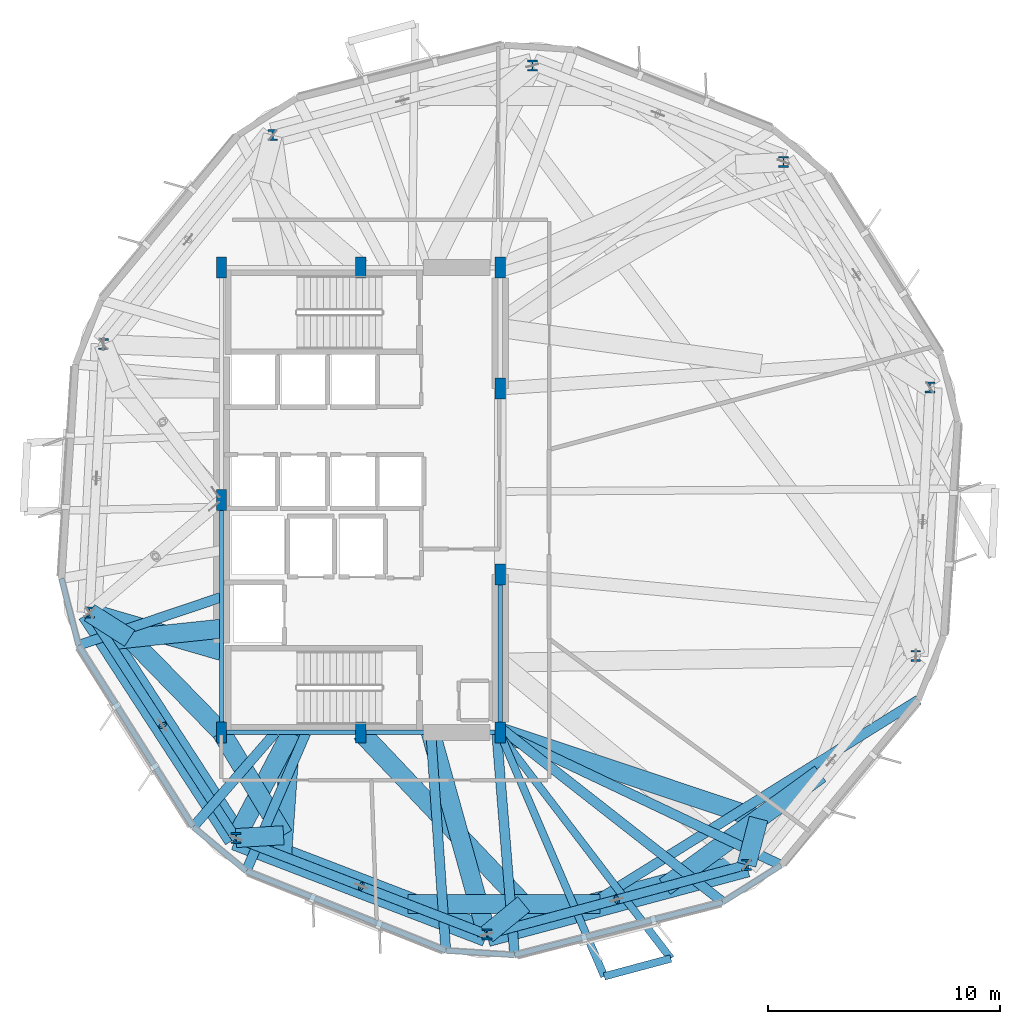
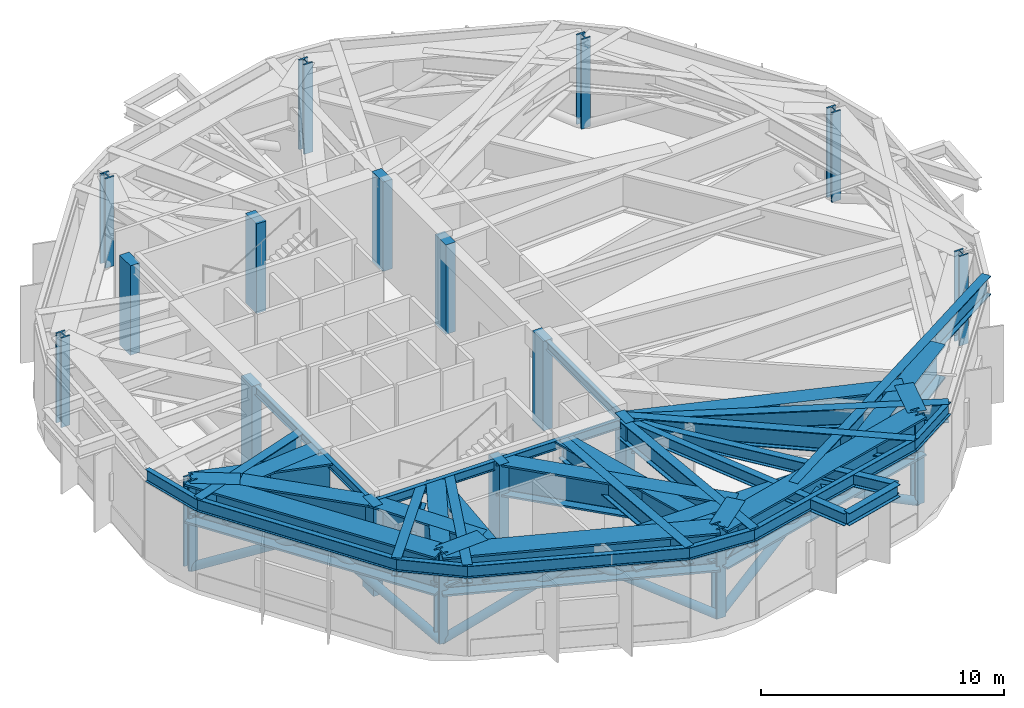
# One storey, part 1 of 13: 40 beams, 19 columns, 6 members.
"""IFC4 building model written with IfcOpenShell, lengths in metres."""

from ifc_helpers import new_model, si_unit, direction, frame, origin, origin_2d, place, context, subcontext, project, spatial, rectangle, hollow_circle, i_section, extrude, material, material_profile, profile_set, type_object, element, save


model = new_model("IFC4")

# Units and contexts
model_context = context("Model", 3, precision=1e-05, world=origin(), true_north=direction((0.0, 1.0)))
body_context = subcontext(model_context, "Body", "Model", "MODEL_VIEW")
ifc_project = project(units=[si_unit("LENGTHUNIT", "METRE"), si_unit("AREAUNIT", "SQUARE_METRE"), si_unit("VOLUMEUNIT", "CUBIC_METRE"), si_unit("PLANEANGLEUNIT", "RADIAN"), si_unit("MASSUNIT", "GRAM", prefix="KILO")], contexts=[model_context])

# Site, building, storey
site_placement = place(None, origin())
site = spatial("IfcSite", under=ifc_project, at=site_placement, CompositionType="ELEMENT")
building_placement = place(site_placement, origin())
building = spatial("IfcBuilding", under=site, at=building_placement, Name="Soratama Intermodal Tower", CompositionType="ELEMENT")
storey_placement = place(building_placement, frame((0.0, 0.0, 82.60009765625)))
storey = spatial("IfcBuildingStorey", under=building, at=storey_placement, Name="L19", CompositionType="ELEMENT", Elevation=82.60009765625)

# Columns
ifc_material_1 = material(Name="Structural steel ASTM A992 Grade 50", Category="steel")
ifc_material_profile_1 = material_profile(ifc_material_1, i_section(OverallWidth=0.424072265625, OverallDepth=0.47412109375, WebThickness=0.047607421875, FlangeThickness=0.0771484375, FilletRadius=0.0380859375, at=origin_2d()), Name="W14X426")
ifc_profile_set_1 = profile_set([ifc_material_profile_1], Name="Structural steel ASTM A992 Grade 50")
column_type_1 = type_object("IfcColumnType", Name="COL-ZA-W14X426", PredefinedType="COLUMN", material=ifc_profile_set_1)
for number, where, z_axis, x_axis, name in (
    (1, (63.08203125, 29.84521484375, 0.0), (0.0, 0.0, 1.0), (1.0, 0.0, 0.0), "L19 Tower Ring Column R01"),
    (2, (56.781005859375, 39.548095703125, 0.0), (0.0, 0.0, 1.0), (1.0, 0.0, 0.0), "L19 Tower Ring Column R02"),
    (3, (45.979736328125, 43.6943359375, 0.0), (0.0, 0.0, 1.0), (1.0, 0.0, 0.0), "L19 Tower Ring Column R03"),
    (4, (34.804443359375, 40.699951171875, 0.0), (0.0, 0.0, 1.0), (1.0, 0.0, 0.0), "L19 Tower Ring Column R04"),
    (5, (27.5234375, 31.70849609375, 0.0), (0.0, 0.0, 1.0), (1.0, 0.0, 0.0), "L19 Tower Ring Column R05"),
    (6, (26.91796875, 20.15478515625, 0.0), (0.0, 0.0, 1.0), (1.0, 0.0, 0.0), "L19 Tower Ring Column R06"),
    (7, (33.218994140625, 10.451904296875, 0.0), (0.0, 0.0, 1.0), (1.0, 0.0, 0.0), "L19 Tower Ring Column R07"),
    (8, (44.020263671875, 6.3056640625, 0.0), (0.0, 0.0, 1.0), (1.0, 0.0, 0.0), "L19 Tower Ring Column R08"),
    (9, (55.195556640625, 9.300048828125, 0.0), (0.0, 0.0, 1.0), (1.0, 0.0, 0.0), "L19 Tower Ring Column R09"),
    (10, (62.4765625, 18.29150390625, 0.0), (0.0, 0.0, 1.0), (1.0, 0.0, 0.0), "L19 Tower Ring Column R10"),
):
    element("IfcColumn", number, at=place(storey_placement, frame(where, z_axis=z_axis, x_axis=x_axis)), inside=storey, type_object=column_type_1, Name=name, PredefinedType="COLUMN", context=body_context, shape_type="SweptSolid", body=[
        extrude(i_section(OverallWidth=0.424072265625, OverallDepth=0.47412109375, WebThickness=0.047607421875, FlangeThickness=0.0771484375, FilletRadius=0.0380859375, at=origin_2d()), origin(), (0.0, 0.0, 1.0), 4.5),
    ])
ifc_material_2 = material(Name="Concrete f'c 56 MPa", Category="concrete")
ifc_material_profile_2 = material_profile(ifc_material_2, rectangle(XDim=0.449951171875, YDim=0.89990234375, at=origin_2d()), Name="RC450X900")
ifc_profile_set_2 = profile_set([ifc_material_profile_2], Name="Concrete f'c 56 MPa")
column_type_2 = type_object("IfcColumnType", Name="PIL-CORE-450X900", PredefinedType="PILASTER", material=ifc_profile_set_2)
for number, where, z_axis, x_axis, name in (
    (11, (32.60009765625, 15.0, 0.0), (0.0, 0.0, 1.0), (1.0, 0.0, 0.0), "L19 Core Pilaster 1"),
    (12, (32.60009765625, 25.0, 0.0), (0.0, 0.0, 1.0), (1.0, 0.0, 0.0), "L19 Core Pilaster 2"),
    (13, (32.60009765625, 35.0, 0.0), (0.0, 0.0, 1.0), (1.0, 0.0, 0.0), "L19 Core Pilaster 3"),
    (14, (38.60009765625, 15.0, 0.0), (0.0, 0.0, 1.0), (1.0, 0.0, 0.0), "L19 Core Pilaster 4"),
    (15, (38.60009765625, 35.0, 0.0), (0.0, 0.0, 1.0), (1.0, 0.0, 0.0), "L19 Core Pilaster 5"),
    (16, (44.60009765625, 15.0, 0.0), (0.0, 0.0, 1.0), (1.0, 0.0, 0.0), "L19 Core Pilaster 6"),
    (17, (44.60009765625, 21.800048828125, 0.0), (0.0, 0.0, 1.0), (1.0, 0.0, 0.0), "L19 Core Pilaster 7"),
    (18, (44.60009765625, 29.800048828125, 0.0), (0.0, 0.0, 1.0), (1.0, 0.0, 0.0), "L19 Core Pilaster 8"),
    (19, (44.60009765625, 35.0, 0.0), (0.0, 0.0, 1.0), (1.0, 0.0, 0.0), "L19 Core Pilaster 9"),
):
    element("IfcColumn", number, at=place(storey_placement, frame(where, z_axis=z_axis, x_axis=x_axis)), inside=storey, type_object=column_type_2, Name=name, PredefinedType="PILASTER", context=body_context, shape_type="SweptSolid", body=[
        extrude(rectangle(XDim=0.449951171875, YDim=0.89990234375, at=origin_2d()), origin(), (0.0, 0.0, 1.0), 4.5),
    ])

# Beams
ifc_material_3 = material(Name="Structural steel ASTM A992 Grade 50", Category="steel")
ifc_material_profile_3 = material_profile(ifc_material_3, i_section(OverallWidth=0.324951171875, OverallDepth=0.615966796875, WebThickness=0.013916015625, FlangeThickness=0.021484375, FilletRadius=0.013916015625, at=origin_2d()), Name="W24X117")
ifc_profile_set_3 = profile_set([ifc_material_profile_3], Name="Structural steel ASTM A992 Grade 50")
beam_type_1 = type_object("IfcBeamType", Name="BM-CANT-W24X117", PredefinedType="BEAM", material=ifc_profile_set_3)
beam_1_placement = place(storey_placement, frame((49.072021484375, 4.501953125, 4.19189453125), z_axis=(0.96590869404, 0.258882975064, 0.0), x_axis=(-0.258882975064, 0.96590869404, 0.0)))
element("IfcBeam", 20, at=beam_1_placement, inside=storey, type_object=beam_type_1, Name="BM-L19-CBHDR-4", PredefinedType="BEAM", context=body_context, shape_type="SweptSolid", body=[
    extrude(i_section(OverallWidth=0.324951171875, OverallDepth=0.615966796875, WebThickness=0.013916015625, FlangeThickness=0.021484375, FilletRadius=0.013916015625, at=origin_2d()), origin(), (0.0, 0.0, 1.0), 2.963134765625),
])
beam_2_placement = place(storey_placement, frame((44.580078125, 14.962890625, 4.19189453125), z_axis=(0.394563656242, -0.918868609309, 0.0), x_axis=(0.918868609309, 0.394563656242, 0.0)))
element("IfcBeam", 21, at=beam_2_placement, inside=storey, type_object=beam_type_1, Name="BM-L19-CANT-4-1", PredefinedType="BEAM", context=body_context, shape_type="SweptSolid", body=[
    extrude(i_section(OverallWidth=0.324951171875, OverallDepth=0.615966796875, WebThickness=0.013916015625, FlangeThickness=0.021484375, FilletRadius=0.013916015625, at=origin_2d()), origin(), (0.0, 0.0, 1.0), 11.384521484375),
])
beam_3_placement = place(storey_placement, frame((44.528076171875, 14.968017578125, 4.19189453125), z_axis=(0.606888558738, -0.794786938288, 0.0), x_axis=(0.794786938288, 0.606888558738, 0.0)))
element("IfcBeam", 22, at=beam_3_placement, inside=storey, type_object=beam_type_1, Name="BM-L19-CANT-4-2", PredefinedType="BEAM", context=body_context, shape_type="SweptSolid", body=[
    extrude(i_section(OverallWidth=0.324951171875, OverallDepth=0.615966796875, WebThickness=0.013916015625, FlangeThickness=0.021484375, FilletRadius=0.013916015625, at=origin_2d()), origin(), (0.0, 0.0, 1.0), 12.203125),
])
ifc_material_4 = material(Name="Structural steel ASTM A992 Grade 50", Category="steel")
ifc_material_profile_4 = material_profile(ifc_material_4, i_section(OverallWidth=0.19091796875, OverallDepth=0.4599609375, WebThickness=0.010009765625, FlangeThickness=0.01611328125, FilletRadius=0.010986328125, at=origin_2d()), Name="W18X55")
ifc_profile_set_4 = profile_set([ifc_material_profile_4], Name="Structural steel ASTM A992 Grade 50")
beam_type_2 = type_object("IfcBeamType", Name="BM-FLR-W18X55", PredefinedType="BEAM", material=ifc_profile_set_4)
for number, where, z_axis, x_axis, name in (
    (23, (32.60009765625, 15.0, 4.27001953125), (1.0, 0.0, 0.0), (0.0, 1.0, 0.0), "BM-L19-CRING-01"),
    (24, (38.60009765625, 15.0, 4.27001953125), (1.0, 0.0, 0.0), (0.0, 1.0, 0.0), "BM-L19-CRING-02"),
):
    element("IfcBeam", number, at=place(storey_placement, frame(where, z_axis=z_axis, x_axis=x_axis)), inside=storey, type_object=beam_type_2, Name=name, PredefinedType="BEAM", context=body_context, shape_type="SweptSolid", body=[
        extrude(i_section(OverallWidth=0.19091796875, OverallDepth=0.4599609375, WebThickness=0.010009765625, FlangeThickness=0.01611328125, FilletRadius=0.010986328125, at=origin_2d()), origin(), (0.0, 0.0, 1.0), 6.0),
    ])
beam_4_placement = place(storey_placement, frame((44.60009765625, 15.0, 4.27001953125), z_axis=(0.0, 1.0, 0.0), x_axis=(-1.0, 0.0, 0.0)))
element("IfcBeam", 25, at=beam_4_placement, inside=storey, type_object=beam_type_2, Name="BM-L19-CRING-03", PredefinedType="BEAM", context=body_context, shape_type="SweptSolid", body=[
    extrude(i_section(OverallWidth=0.19091796875, OverallDepth=0.4599609375, WebThickness=0.010009765625, FlangeThickness=0.01611328125, FilletRadius=0.010986328125, at=origin_2d()), origin(), (0.0, 0.0, 1.0), 6.800048828125),
])
beam_5_placement = place(storey_placement, frame((32.60009765625, 25.0, 4.27001953125), z_axis=(0.0, -1.0, 0.0), x_axis=(1.0, 0.0, 0.0)))
element("IfcBeam", 26, at=beam_5_placement, inside=storey, type_object=beam_type_2, Name="BM-L19-CRING-09", PredefinedType="BEAM", context=body_context, shape_type="SweptSolid", body=[
    extrude(i_section(OverallWidth=0.19091796875, OverallDepth=0.4599609375, WebThickness=0.010009765625, FlangeThickness=0.01611328125, FilletRadius=0.010986328125, at=origin_2d()), origin(), (0.0, 0.0, 1.0), 10.0),
])
ifc_material_5 = material(Name="Structural steel ASTM A992 Grade 50", Category="steel")
ifc_material_profile_5 = material_profile(ifc_material_5, i_section(OverallWidth=0.423095703125, OverallDepth=0.93896484375, WebThickness=0.02392578125, FlangeThickness=0.042724609375, FilletRadius=0.02392578125, at=origin_2d()), Name="W36X302")
ifc_profile_set_5 = profile_set([ifc_material_profile_5], Name="Structural steel ASTM A992 Grade 50")
beam_type_3 = type_object("IfcBeamType", Name="BM-POD-W36X302", PredefinedType="BEAM", material=ifc_profile_set_5)
beam_6_placement = place(storey_placement, frame((32.56201171875, 20.80810546875, 4.030517578125), z_axis=(-0.947653313285, -0.319301108392, 0.0), x_axis=(0.319301108392, -0.947653313285, 0.0)))
element("IfcBeam", 27, at=beam_6_placement, inside=storey, type_object=beam_type_3, Name="BM-L19-TIE0-06", PredefinedType="BEAM", context=body_context, shape_type="SweptSolid", body=[
    extrude(i_section(OverallWidth=0.423095703125, OverallDepth=0.93896484375, WebThickness=0.02392578125, FlangeThickness=0.042724609375, FilletRadius=0.02392578125, at=origin_2d()), origin(), (0.0, 0.0, 1.0), 6.454833984375),
])
beam_7_placement = place(storey_placement, frame((34.902099609375, 14.969970703125, 4.030517578125), z_axis=(-0.65690278807, -0.753975282769, 0.0), x_axis=(0.753975282769, -0.65690278807, 0.0)))
element("IfcBeam", 28, at=beam_7_placement, inside=storey, type_object=beam_type_3, Name="BM-L19-TIE1-06", PredefinedType="BEAM", context=body_context, shape_type="SweptSolid", body=[
    extrude(i_section(OverallWidth=0.423095703125, OverallDepth=0.93896484375, WebThickness=0.02392578125, FlangeThickness=0.042724609375, FilletRadius=0.02392578125, at=origin_2d()), origin(), (0.0, 0.0, 1.0), 5.35693359375),
])
beam_8_placement = place(storey_placement, frame((36.22705078125, 14.962890625, 4.030517578125), z_axis=(-0.396850898423, -0.917883088645, 0.0), x_axis=(0.917883088645, -0.396850898423, 0.0)))
element("IfcBeam", 29, at=beam_8_placement, inside=storey, type_object=beam_type_3, Name="BM-L19-TIE0-07", PredefinedType="BEAM", context=body_context, shape_type="SweptSolid", body=[
    extrude(i_section(OverallWidth=0.423095703125, OverallDepth=0.93896484375, WebThickness=0.02392578125, FlangeThickness=0.042724609375, FilletRadius=0.02392578125, at=origin_2d()), origin(), (0.0, 0.0, 1.0), 6.458251953125),
])
beam_9_placement = place(storey_placement, frame((41.610107421875, 14.9599609375, 4.030517578125), z_axis=(0.068618737877, -0.997642956579, 0.0), x_axis=(0.997642956579, 0.068618737877, 0.0)))
element("IfcBeam", 30, at=beam_9_placement, inside=storey, type_object=beam_type_3, Name="BM-L19-TIE1-07", PredefinedType="BEAM", context=body_context, shape_type="SweptSolid", body=[
    extrude(i_section(OverallWidth=0.423095703125, OverallDepth=0.93896484375, WebThickness=0.02392578125, FlangeThickness=0.042724609375, FilletRadius=0.02392578125, at=origin_2d()), origin(), (0.0, 0.0, 1.0), 9.367919921875),
])
beam_10_placement = place(storey_placement, frame((44.44189453125, 14.9599609375, 4.030517578125), z_axis=(0.080562426455, -0.996749565058, 0.0), x_axis=(0.996749565058, 0.080562426455, 0.0)))
element("IfcBeam", 31, at=beam_10_placement, inside=storey, type_object=beam_type_3, Name="BM-L19-TIE0-08", PredefinedType="BEAM", context=body_context, shape_type="SweptSolid", body=[
    extrude(i_section(OverallWidth=0.423095703125, OverallDepth=0.93896484375, WebThickness=0.02392578125, FlangeThickness=0.042724609375, FilletRadius=0.02392578125, at=origin_2d()), origin(), (0.0, 0.0, 1.0), 9.570068359375),
])
beam_11_placement = place(storey_placement, frame((44.631103515625, 15.173095703125, 4.030517578125), z_axis=(0.787323879922, -0.616539624115, 0.0), x_axis=(0.616539624115, 0.787323879922, 0.0)))
element("IfcBeam", 32, at=beam_11_placement, inside=storey, type_object=beam_type_3, Name="BM-L19-TIE1-08", PredefinedType="BEAM", context=body_context, shape_type="SweptSolid", body=[
    extrude(i_section(OverallWidth=0.423095703125, OverallDepth=0.93896484375, WebThickness=0.02392578125, FlangeThickness=0.042724609375, FilletRadius=0.02392578125, at=origin_2d()), origin(), (0.0, 0.0, 1.0), 12.11962890625),
])
beam_12_placement = place(storey_placement, frame((44.635986328125, 14.9990234375, 4.030517578125), z_axis=(0.903515842165, -0.428554690743, 0.0), x_axis=(0.428554690743, 0.903515842165, 0.0)))
element("IfcBeam", 33, at=beam_12_placement, inside=storey, type_object=beam_type_3, Name="BM-L19-TIE0-09", PredefinedType="BEAM", context=body_context, shape_type="SweptSolid", body=[
    extrude(i_section(OverallWidth=0.423095703125, OverallDepth=0.93896484375, WebThickness=0.02392578125, FlangeThickness=0.042724609375, FilletRadius=0.02392578125, at=origin_2d()), origin(), (0.0, 0.0, 1.0), 13.3310546875),
])
beam_13_placement = place(storey_placement, frame((48.22705078125, 7.445068359375, 4.030517578125), z_axis=(0.848645225442, 0.528962457397, 0.0), x_axis=(-0.528962457397, 0.848645225442, 0.0)))
element("IfcBeam", 34, at=beam_13_placement, inside=storey, type_object=beam_type_3, Name="BM-L19-TIE1-09", PredefinedType="BEAM", context=body_context, shape_type="SweptSolid", body=[
    extrude(i_section(OverallWidth=0.423095703125, OverallDepth=0.93896484375, WebThickness=0.02392578125, FlangeThickness=0.042724609375, FilletRadius=0.02392578125, at=origin_2d()), origin(), (0.0, 0.0, 1.0), 16.923583984375),
])
ifc_material_6 = material(Name="Structural steel ASTM A992 Grade 50", Category="steel")
ifc_material_profile_6 = material_profile(ifc_material_6, i_section(OverallWidth=0.22900390625, OverallDepth=0.612060546875, WebThickness=0.011962890625, FlangeThickness=0.01953125, FilletRadius=0.012939453125, at=origin_2d()), Name="W24X84")
ifc_profile_set_6 = profile_set([ifc_material_profile_6], Name="Structural steel ASTM A992 Grade 50")
beam_type_4 = type_object("IfcBeamType", Name="BM-SPN-W24X84", PredefinedType="SPANDREL", material=ifc_profile_set_6)
beam_14_placement = place(storey_placement, frame((25.712890625, 21.6220703125, 4.19384765625), z_axis=(0.246793097609, -0.969068195213, 0.0), x_axis=(0.969068195213, 0.246793097609, 0.0)))
element("IfcBeam", 35, at=beam_14_placement, inside=storey, type_object=beam_type_4, Name="BS-L19-CRN05", PredefinedType="SPANDREL", context=body_context, shape_type="SweptSolid", body=[
    extrude(i_section(OverallWidth=0.22900390625, OverallDepth=0.612060546875, WebThickness=0.011962890625, FlangeThickness=0.01953125, FilletRadius=0.012939453125, at=origin_2d()), origin(), (0.0, 0.0, 1.0), 2.966796875),
])
beam_15_placement = place(storey_placement, frame((26.445068359375, 18.7470703125, 4.19384765625), z_axis=(0.534106248728, -0.845417361467, 0.0), x_axis=(0.845417361467, 0.534106248728, 0.0)))
element("IfcBeam", 36, at=beam_15_placement, inside=storey, type_object=beam_type_4, Name="BS-L19-F06", PredefinedType="SPANDREL", context=body_context, shape_type="SweptSolid", body=[
    extrude(i_section(OverallWidth=0.22900390625, OverallDepth=0.612060546875, WebThickness=0.011962890625, FlangeThickness=0.01953125, FilletRadius=0.012939453125, at=origin_2d()), origin(), (0.0, 0.0, 1.0), 9.245361328125),
])
beam_16_placement = place(storey_placement, frame((31.383056640625, 10.930908203125, 4.19384765625), z_axis=(0.769023536568, -0.639220462912, 0.0), x_axis=(0.639220462912, 0.769023536568, 0.0)))
element("IfcBeam", 37, at=beam_16_placement, inside=storey, type_object=beam_type_4, Name="BS-L19-CRN06", PredefinedType="SPANDREL", context=body_context, shape_type="SweptSolid", body=[
    extrude(i_section(OverallWidth=0.22900390625, OverallDepth=0.612060546875, WebThickness=0.011962890625, FlangeThickness=0.01953125, FilletRadius=0.012939453125, at=origin_2d()), origin(), (0.0, 0.0, 1.0), 2.966064453125),
])
beam_17_placement = place(storey_placement, frame((33.6640625, 9.034912109375, 4.19384765625), z_axis=(0.929022051879, -0.370024360174, 0.0), x_axis=(0.370024360174, 0.929022051879, 0.0)))
element("IfcBeam", 38, at=beam_17_placement, inside=storey, type_object=beam_type_4, Name="BS-L19-F07", PredefinedType="SPANDREL", context=body_context, shape_type="SweptSolid", body=[
    extrude(i_section(OverallWidth=0.22900390625, OverallDepth=0.612060546875, WebThickness=0.011962890625, FlangeThickness=0.01953125, FilletRadius=0.012939453125, at=origin_2d()), origin(), (0.0, 0.0, 1.0), 9.2451171875),
])
beam_18_placement = place(storey_placement, frame((42.2529296875, 5.614013671875, 4.19384765625), z_axis=(0.997878478899, -0.065104080898, 0.0), x_axis=(0.065104080898, 0.997878478899, 0.0)))
element("IfcBeam", 39, at=beam_18_placement, inside=storey, type_object=beam_type_4, Name="BS-L19-CRN07", PredefinedType="SPANDREL", context=body_context, shape_type="SweptSolid", body=[
    extrude(i_section(OverallWidth=0.22900390625, OverallDepth=0.612060546875, WebThickness=0.011962890625, FlangeThickness=0.01953125, FilletRadius=0.012939453125, at=origin_2d()), origin(), (0.0, 0.0, 1.0), 2.96630859375),
])
beam_19_placement = place(storey_placement, frame((45.212890625, 5.4208984375, 4.19384765625), z_axis=(0.969116567372, 0.246603079553, 0.0), x_axis=(-0.246603079553, 0.969116567372, 0.0)))
element("IfcBeam", 40, at=beam_19_placement, inside=storey, type_object=beam_type_4, Name="BS-L19-F08", PredefinedType="SPANDREL", context=body_context, shape_type="SweptSolid", body=[
    extrude(i_section(OverallWidth=0.22900390625, OverallDepth=0.612060546875, WebThickness=0.011962890625, FlangeThickness=0.01953125, FilletRadius=0.012939453125, at=origin_2d()), origin(), (0.0, 0.0, 1.0), 9.245849609375),
])
beam_20_placement = place(storey_placement, frame((54.173095703125, 7.700927734375, 4.19384765625), z_axis=(0.845324600823, 0.53425304795, 0.0), x_axis=(-0.53425304795, 0.845324600823, 0.0)))
element("IfcBeam", 41, at=beam_20_placement, inside=storey, type_object=beam_type_4, Name="BS-L19-CRN08", PredefinedType="SPANDREL", context=body_context, shape_type="SweptSolid", body=[
    extrude(i_section(OverallWidth=0.22900390625, OverallDepth=0.612060546875, WebThickness=0.011962890625, FlangeThickness=0.01953125, FilletRadius=0.012939453125, at=origin_2d()), origin(), (0.0, 0.0, 1.0), 2.966796875),
])
ifc_material_7 = material(Name="Structural steel ASTM A992 Grade 50", Category="steel")
ifc_material_profile_7 = material_profile(ifc_material_7, i_section(OverallWidth=0.820068359375, OverallDepth=1.699951171875, WebThickness=0.053955078125, FlangeThickness=0.087890625, FilletRadius=0.02392578125, at=origin_2d()), Name="PG1580X800")
ifc_profile_set_7 = profile_set([ifc_material_profile_7], Name="Structural steel ASTM A992 Grade 50")
beam_type_5 = type_object("IfcBeamType", Name="BM-ZSTEP-PG1580", PredefinedType="BEAM", material=ifc_profile_set_7)
beam_21_placement = place(storey_placement, frame((27.700927734375, 18.948974609375, 3.64990234375), z_axis=(0.994517395118, 0.104571271426, 0.0), x_axis=(-0.104571271426, 0.994517395118, 0.0)))
element("IfcBeam", 42, at=beam_21_placement, inside=storey, type_object=beam_type_5, Name="BM-L19-ZCHORD-06", PredefinedType="BEAM", context=body_context, shape_type="SweptSolid", body=[
    extrude(i_section(OverallWidth=0.820068359375, OverallDepth=1.699951171875, WebThickness=0.053955078125, FlangeThickness=0.087890625, FilletRadius=0.02392578125, at=origin_2d()), origin(), (0.0, 0.0, 1.0), 4.92626953125),
])
beam_22_placement = place(storey_placement, frame((35.2080078125, 9.68798828125, 3.64990234375), z_axis=(0.069689515117, 0.997568730205, 0.0), x_axis=(-0.997568730205, 0.069689515117, 0.0)))
element("IfcBeam", 43, at=beam_22_placement, inside=storey, type_object=beam_type_5, Name="BM-L19-ZCHORD-07", PredefinedType="BEAM", context=body_context, shape_type="SweptSolid", body=[
    extrude(i_section(OverallWidth=0.820068359375, OverallDepth=1.699951171875, WebThickness=0.053955078125, FlangeThickness=0.087890625, FilletRadius=0.02392578125, at=origin_2d()), origin(), (0.0, 0.0, 1.0), 5.324951171875),
])
beam_23_placement = place(storey_placement, frame((48.889892578125, 7.611083984375, 3.64990234375), z_axis=(-1.0, 0.0, 0.0), x_axis=(0.0, -1.0, 0.0)))
element("IfcBeam", 44, at=beam_23_placement, inside=storey, type_object=beam_type_5, Name="BM-L19-ZCHORD-08", PredefinedType="BEAM", context=body_context, shape_type="SweptSolid", body=[
    extrude(i_section(OverallWidth=0.820068359375, OverallDepth=1.699951171875, WebThickness=0.053955078125, FlangeThickness=0.087890625, FilletRadius=0.02392578125, at=origin_2d()), origin(), (0.0, 0.0, 1.0), 8.268798828125),
])
beam_24_placement = place(storey_placement, frame((58.367919921875, 13.218017578125, 3.64990234375), z_axis=(-0.809041119225, -0.587752045851, 0.0), x_axis=(0.587752045851, -0.809041119225, 0.0)))
element("IfcBeam", 45, at=beam_24_placement, inside=storey, type_object=beam_type_5, Name="BM-L19-ZCHORD-09", PredefinedType="BEAM", context=body_context, shape_type="SweptSolid", body=[
    extrude(i_section(OverallWidth=0.820068359375, OverallDepth=1.699951171875, WebThickness=0.053955078125, FlangeThickness=0.087890625, FilletRadius=0.02392578125, at=origin_2d()), origin(), (0.0, 0.0, 1.0), 8.26904296875),
])
beam_25_placement = place(storey_placement, frame((32.60009765625, 18.5, 3.64990234375), z_axis=(-0.960102504931, 0.279648314898, 0.0), x_axis=(-0.279648314898, -0.960102504931, 0.0)))
element("IfcBeam", 46, at=beam_25_placement, inside=storey, type_object=beam_type_5, Name="BM-L19-RAD-06", PredefinedType="BEAM", context=body_context, shape_type="SweptSolid", body=[
    extrude(i_section(OverallWidth=0.820068359375, OverallDepth=1.699951171875, WebThickness=0.053955078125, FlangeThickness=0.087890625, FilletRadius=0.02392578125, at=origin_2d()), origin(), (0.0, 0.0, 1.0), 5.918212890625),
])
beam_26_placement = place(storey_placement, frame((35.60009765625, 15.0, 3.64990234375), z_axis=(-0.463818619792, -0.885930182314, 0.0), x_axis=(0.885930182314, -0.463818619792, 0.0)))
element("IfcBeam", 47, at=beam_26_placement, inside=storey, type_object=beam_type_5, Name="BM-L19-RAD-07", PredefinedType="BEAM", context=body_context, shape_type="SweptSolid", body=[
    extrude(i_section(OverallWidth=0.820068359375, OverallDepth=1.699951171875, WebThickness=0.053955078125, FlangeThickness=0.087890625, FilletRadius=0.02392578125, at=origin_2d()), origin(), (0.0, 0.0, 1.0), 5.1337890625),
])
beam_27_placement = place(storey_placement, frame((41.60009765625, 15.0, 3.64990234375), z_axis=(0.26814752121, -0.963377862974, 0.0), x_axis=(0.963377862974, 0.26814752121, 0.0)))
element("IfcBeam", 48, at=beam_27_placement, inside=storey, type_object=beam_type_5, Name="BM-L19-RAD-08", PredefinedType="BEAM", context=body_context, shape_type="SweptSolid", body=[
    extrude(i_section(OverallWidth=0.820068359375, OverallDepth=1.699951171875, WebThickness=0.053955078125, FlangeThickness=0.087890625, FilletRadius=0.02392578125, at=origin_2d()), origin(), (0.0, 0.0, 1.0), 9.024658203125),
])
ifc_material_8 = material(Name="Structural steel ASTM A992 Grade 50", Category="steel")
ifc_material_profile_8 = material_profile(ifc_material_8, i_section(OverallWidth=0.820068359375, OverallDepth=1.60205078125, WebThickness=0.055908203125, FlangeThickness=0.092041015625, FilletRadius=0.02392578125, at=origin_2d()), Name="PG1600X650")
ifc_profile_set_8 = profile_set([ifc_material_profile_8], Name="Structural steel ASTM A992 Grade 50")
beam_type_6 = type_object("IfcBeamType", Name="BM-ZSTEP-PG1600", PredefinedType="BEAM", material=ifc_profile_set_8)
beam_28_placement = place(storey_placement, frame((26.91796875, 20.155029296875, 3.698974609375), z_axis=(0.842681280512, -0.538412722245, 0.0), x_axis=(0.538412722245, 0.842681280512, 0.0)))
element("IfcBeam", 49, at=beam_28_placement, inside=storey, type_object=beam_type_6, Name="BM-L19-ZSTEP-A06", PredefinedType="BEAM", context=body_context, shape_type="SweptSolid", body=[
    extrude(i_section(OverallWidth=0.820068359375, OverallDepth=1.60205078125, WebThickness=0.055908203125, FlangeThickness=0.092041015625, FilletRadius=0.02392578125, at=origin_2d()), origin(), (0.0, 0.0, 1.0), 2.05419921875),
])
beam_29_placement = place(storey_placement, frame((28.64892578125, 19.049072265625, 3.698974609375), z_axis=(0.698401501176, -0.715706184936, 0.0), x_axis=(0.715706184936, 0.698401501176, 0.0)))
element("IfcBeam", 50, at=beam_29_placement, inside=storey, type_object=beam_type_6, Name="BM-L19-ZSTEP-B06", PredefinedType="BEAM", context=body_context, shape_type="SweptSolid", body=[
    extrude(i_section(OverallWidth=0.820068359375, OverallDepth=1.60205078125, WebThickness=0.055908203125, FlangeThickness=0.092041015625, FilletRadius=0.02392578125, at=origin_2d()), origin(), (0.0, 0.0, 1.0), 5.657470703125),
])
beam_30_placement = place(storey_placement, frame((33.218994140625, 10.451904296875, 3.698974609375), z_axis=(0.998205271657, 0.059885187111, 0.0), x_axis=(-0.059885187111, 0.998205271657, 0.0)))
element("IfcBeam", 51, at=beam_30_placement, inside=storey, type_object=beam_type_6, Name="BM-L19-ZSTEP-A07", PredefinedType="BEAM", context=body_context, shape_type="SweptSolid", body=[
    extrude(i_section(OverallWidth=0.820068359375, OverallDepth=1.60205078125, WebThickness=0.055908203125, FlangeThickness=0.092041015625, FilletRadius=0.02392578125, at=origin_2d()), origin(), (0.0, 0.0, 1.0), 2.0546875),
])
beam_31_placement = place(storey_placement, frame((35.27001953125, 10.574951171875, 3.698974609375), z_axis=(-0.516613022856, 0.856219005054, 0.0), x_axis=(-0.856219005054, -0.516613022856, 0.0)))
element("IfcBeam", 52, at=beam_31_placement, inside=storey, type_object=beam_type_6, Name="BM-L19-ZSTEP-B07", PredefinedType="BEAM", context=body_context, shape_type="SweptSolid", body=[
    extrude(i_section(OverallWidth=0.820068359375, OverallDepth=1.60205078125, WebThickness=0.055908203125, FlangeThickness=0.092041015625, FilletRadius=0.02392578125, at=origin_2d()), origin(), (0.0, 0.0, 1.0), 5.168212890625),
])
beam_32_placement = place(storey_placement, frame((44.02001953125, 6.305908203125, 3.698974609375), z_axis=(0.772334804661, 0.635215671649, 0.0), x_axis=(-0.635215671649, 0.772334804661, 0.0)))
element("IfcBeam", 53, at=beam_32_placement, inside=storey, type_object=beam_type_6, Name="BM-L19-ZSTEP-A08", PredefinedType="BEAM", context=body_context, shape_type="SweptSolid", body=[
    extrude(i_section(OverallWidth=0.820068359375, OverallDepth=1.60205078125, WebThickness=0.055908203125, FlangeThickness=0.092041015625, FilletRadius=0.02392578125, at=origin_2d()), origin(), (0.0, 0.0, 1.0), 2.0546875),
])
beam_33_placement = place(storey_placement, frame((45.60693359375, 7.611083984375, 3.698974609375), z_axis=(-0.688097024293, 0.725618691297, 0.0), x_axis=(-0.725618691297, -0.688097024293, 0.0)))
element("IfcBeam", 54, at=beam_33_placement, inside=storey, type_object=beam_type_6, Name="BM-L19-ZSTEP-B08", PredefinedType="BEAM", context=body_context, shape_type="SweptSolid", body=[
    extrude(i_section(OverallWidth=0.820068359375, OverallDepth=1.60205078125, WebThickness=0.055908203125, FlangeThickness=0.092041015625, FilletRadius=0.02392578125, at=origin_2d()), origin(), (0.0, 0.0, 1.0), 10.182861328125),
])
beam_34_placement = place(storey_placement, frame((55.196044921875, 9.300048828125, 3.698974609375), z_axis=(0.251052871311, 0.967973375567, 0.0), x_axis=(-0.967973375567, 0.251052871311, 0.0)))
element("IfcBeam", 55, at=beam_34_placement, inside=storey, type_object=beam_type_6, Name="BM-L19-ZSTEP-A09", PredefinedType="BEAM", context=body_context, shape_type="SweptSolid", body=[
    extrude(i_section(OverallWidth=0.820068359375, OverallDepth=1.60205078125, WebThickness=0.055908203125, FlangeThickness=0.092041015625, FilletRadius=0.02392578125, at=origin_2d()), origin(), (0.0, 0.0, 1.0), 2.054931640625),
])
beam_35_placement = place(storey_placement, frame((55.7119140625, 11.2890625, 3.698974609375), z_axis=(-0.948503923169, 0.316765382787, 0.0), x_axis=(-0.316765382787, -0.948503923169, 0.0)))
element("IfcBeam", 56, at=beam_35_placement, inside=storey, type_object=beam_type_6, Name="BM-L19-ZSTEP-B09", PredefinedType="BEAM", context=body_context, shape_type="SweptSolid", body=[
    extrude(i_section(OverallWidth=0.820068359375, OverallDepth=1.60205078125, WebThickness=0.055908203125, FlangeThickness=0.092041015625, FilletRadius=0.02392578125, at=origin_2d()), origin(), (0.0, 0.0, 1.0), 11.715087890625),
])
ifc_material_9 = material(Name="Structural steel ASTM A992 Grade 50", Category="steel")
ifc_material_profile_9 = material_profile(ifc_material_9, i_section(OverallWidth=1.06005859375, OverallDepth=1.9599609375, WebThickness=0.05810546875, FlangeThickness=0.095947265625, FilletRadius=0.02392578125, at=origin_2d()), Name="PG2400X900")
ifc_profile_set_9 = profile_set([ifc_material_profile_9], Name="Structural steel ASTM A992 Grade 50")
beam_type_7 = type_object("IfcBeamType", Name="BM-ZSTEP-PG2400", PredefinedType="BEAM", material=ifc_profile_set_9)
beam_36_placement = place(storey_placement, frame((26.91796875, 20.155029296875, 3.52001953125), z_axis=(0.544623370352, -0.838680740489, 0.0), x_axis=(0.838680740489, 0.544623370352, 0.0)))
element("IfcBeam", 57, at=beam_36_placement, inside=storey, type_object=beam_type_7, Name="BM-L19-RING-06", PredefinedType="BEAM", context=body_context, shape_type="SweptSolid", body=[
    extrude(i_section(OverallWidth=1.06005859375, OverallDepth=1.9599609375, WebThickness=0.05810546875, FlangeThickness=0.095947265625, FilletRadius=0.02392578125, at=origin_2d()), origin(), (0.0, 0.0, 1.0), 11.569580078125),
])
beam_37_placement = place(storey_placement, frame((33.218994140625, 10.451904296875, 3.52001953125), z_axis=(0.933584159632, -0.358358224246, 0.0), x_axis=(0.358358224246, 0.933584159632, 0.0)))
element("IfcBeam", 58, at=beam_37_placement, inside=storey, type_object=beam_type_7, Name="BM-L19-RING-07", PredefinedType="BEAM", context=body_context, shape_type="SweptSolid", body=[
    extrude(i_section(OverallWidth=1.06005859375, OverallDepth=1.9599609375, WebThickness=0.05810546875, FlangeThickness=0.095947265625, FilletRadius=0.02392578125, at=origin_2d()), origin(), (0.0, 0.0, 1.0), 11.5693359375),
])
beam_38_placement = place(storey_placement, frame((44.02001953125, 6.305908203125, 3.52001953125), z_axis=(0.965935902196, 0.258781438376, 0.0), x_axis=(-0.258781438376, 0.965935902196, 0.0)))
element("IfcBeam", 59, at=beam_38_placement, inside=storey, type_object=beam_type_7, Name="BM-L19-RING-08", PredefinedType="BEAM", context=body_context, shape_type="SweptSolid", body=[
    extrude(i_section(OverallWidth=1.06005859375, OverallDepth=1.9599609375, WebThickness=0.05810546875, FlangeThickness=0.095947265625, FilletRadius=0.02392578125, at=origin_2d()), origin(), (0.0, 0.0, 1.0), 11.570068359375),
])

# Members
ifc_material_10 = material(Name="Structural steel ASTM A500 Grade C", Category="steel")
ifc_material_profile_10 = material_profile(ifc_material_10, hollow_circle(Radius=0.203125, WallThickness=0.01611328125, at=origin_2d()), Name="CHS406X16")
ifc_profile_set_10 = profile_set([ifc_material_profile_10], Name="Structural steel ASTM A500 Grade C")
member_type = type_object("IfcMemberType", Name="MB-BLT-CHS406", PredefinedType="BRACE", material=ifc_profile_set_10)
for number, where, z_axis, x_axis, name in (
    (60, (26.91796875, 20.15478515625, 0.010009765625), (0.46564064327, -0.716989168727, 0.518753624819), (0.838658582208, 0.544657490987, 0.0), "L19 Belt Truss Brace A 06"),
    (61, (33.218994140625, 10.451904296875, 0.010009765625), (-0.46560033787, 0.717018747222, 0.518748919525), (-0.838690379159, -0.544608527207, 0.0), "L19 Belt Truss Brace B 06"),
    (62, (33.218994140625, 10.451904296875, 0.010009765625), (0.798153281442, -0.306365874632, 0.518740098879), (0.358351164461, 0.933586869514, 0.0), "L19 Belt Truss Brace A 07"),
):
    element("IfcMember", number, at=place(storey_placement, frame(where, z_axis=z_axis, x_axis=x_axis)), inside=storey, type_object=member_type, Name=name, PredefinedType="BRACE", context=body_context, shape_type="SweptSolid", body=[
        extrude(hollow_circle(Radius=0.203125, WallThickness=0.01611328125, at=origin_2d()), origin(), (0.0, 0.0, 1.0), 6.766357421875),
    ])
member_placement = place(storey_placement, frame((44.020263671875, 6.3056640625, 0.010009765625), z_axis=(-0.798144458232, 0.306398568749, 0.51873436445), x_axis=(-0.358387947669, -0.933572749691, 0.0)))
element("IfcMember", 63, at=member_placement, inside=storey, type_object=member_type, Name="L19 Belt Truss Brace B 07", PredefinedType="BRACE", context=body_context, shape_type="SweptSolid", body=[
    extrude(hollow_circle(Radius=0.203125, WallThickness=0.01611328125, at=origin_2d()), origin(), (0.0, 0.0, 1.0), 6.7666015625),
])
for number, where, z_axis, x_axis, name in (
    (64, (44.020263671875, 6.3056640625, 0.010009765625), (0.82579542187, 0.221287338766, 0.518742551677), (-0.258836639903, 0.965921111605, 0.0), "L19 Belt Truss Brace A 08"),
    (65, (55.195556640625, 9.300048828125, 0.010009765625), (-0.82580201486, -0.221253023774, 0.518746693217), (0.258797262849, -0.965931662563, 0.0), "L19 Belt Truss Brace B 08"),
):
    element("IfcMember", number, at=place(storey_placement, frame(where, z_axis=z_axis, x_axis=x_axis)), inside=storey, type_object=member_type, Name=name, PredefinedType="BRACE", context=body_context, shape_type="SweptSolid", body=[
        extrude(hollow_circle(Radius=0.203125, WallThickness=0.01611328125, at=origin_2d()), origin(), (0.0, 0.0, 1.0), 6.766357421875),
    ])

save(model, "model.ifc")
